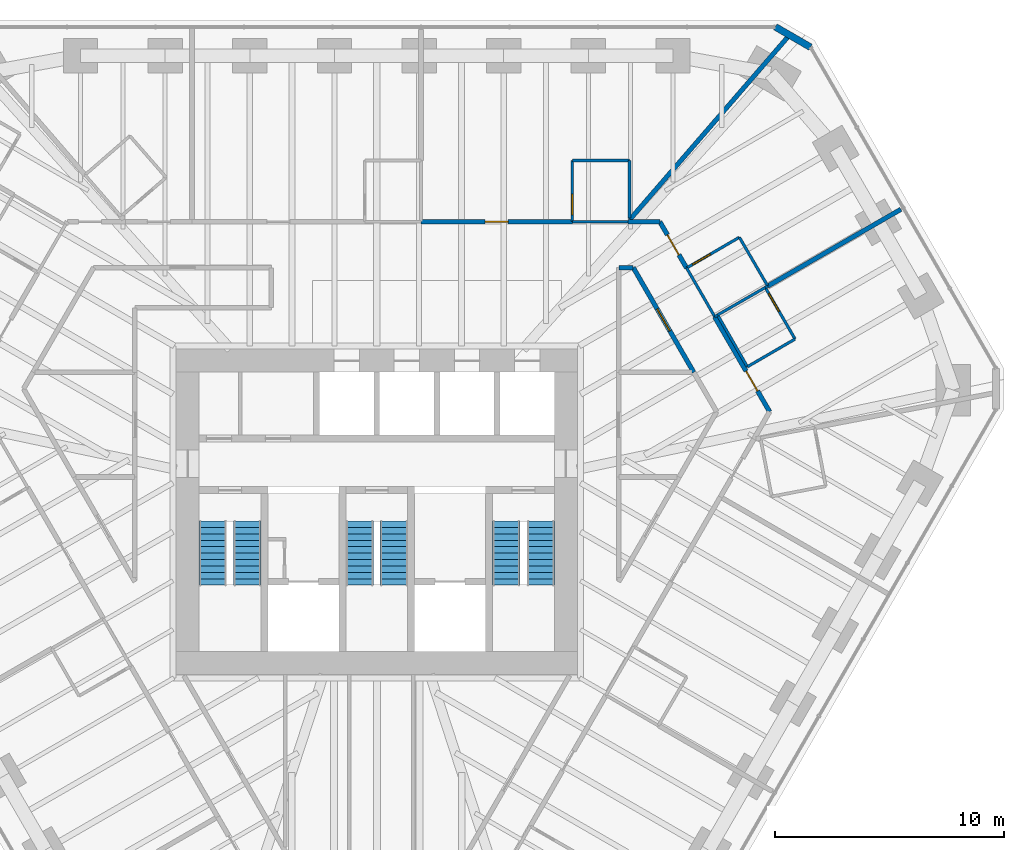
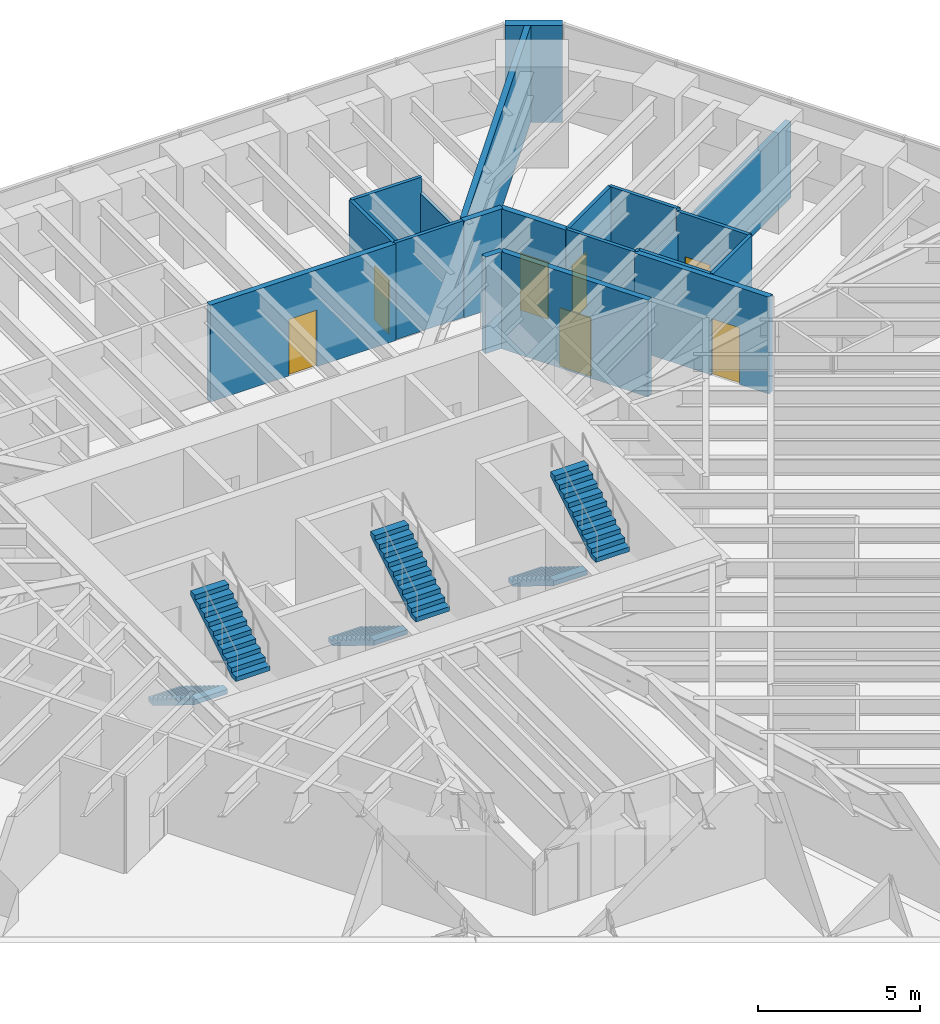
# One storey, part 15 of 16: 22 walls, 7 doors, 6 stair flights, 7 openings, 3 elements without a shape of their own.
"""IFC4 building model written with IfcOpenShell, lengths in metres."""

from ifc_helpers import new_model, si_unit, direction, frame, frame_2d, origin, place, context, subcontext, project, spatial, polyline, rectangle, outline, extrude, material, layer, layer_set, type_object, element, fill, aggregate, save


model = new_model("IFC4")

# Units and contexts
model_context = context("Model", 3, precision=1e-05, world=origin(), true_north=direction((0.0, 1.0)))
body_context = subcontext(model_context, "Body", "Model", "MODEL_VIEW")
ifc_project = project(units=[si_unit("LENGTHUNIT", "METRE"), si_unit("AREAUNIT", "SQUARE_METRE"), si_unit("VOLUMEUNIT", "CUBIC_METRE"), si_unit("PLANEANGLEUNIT", "RADIAN"), si_unit("MASSUNIT", "GRAM", prefix="KILO")], contexts=[model_context])

# Site, building, storey
site_placement = place(None, origin())
site = spatial("IfcSite", under=ifc_project, at=site_placement, CompositionType="ELEMENT")
building_placement = place(site_placement, origin())
building = spatial("IfcBuilding", under=site, at=building_placement, Name="Sandreach Pilgrim Tower", CompositionType="ELEMENT")
storey_placement = place(building_placement, frame((0.0, 0.0, 206.0)))
storey = spatial("IfcBuildingStorey", under=building, at=storey_placement, Name="L51", CompositionType="ELEMENT", Elevation=206.0)

# Wall, opening, door
ifc_material_1 = material(Name="Moisture-resistant gypsum board on steel studs", Category="steel")
ifc_layer_1 = layer(ifc_material_1, 0.1201171875)
ifc_layer_set_1 = layer_set([ifc_layer_1], Name="Bathroom partition 120")
wall_type_1 = type_object("IfcWallType", Name="Bathroom partition 120", PredefinedType="PARTITIONING", material=ifc_layer_set_1)
wall_1_placement = place(storey_placement, frame((8.530029296875, 15.330078125, 0.0), z_axis=(0.0, 0.0, 1.0), x_axis=(0.0, -1.0, 0.0)))
wall_1 = element("IfcWall", 1, at=wall_1_placement, inside=storey, type_object=wall_type_1, Name="Bathroom partition L51-104", PredefinedType="PARTITIONING", context=body_context, shape_type="SweptSolid", body=[
    extrude(rectangle(XDim=2.670166015625, YDim=0.1201171875, at=frame_2d((1.3349609375, 0.0))), origin(), (0.0, 0.0, 1.0), 3.639892578125),
])
opening_1_placement = place(wall_1_placement, frame((1.469970703125, 0.0, 0.0)))
opening_1 = element("IfcOpeningElement", 2, at=opening_1_placement, cuts=wall_1, Name="Opening D09-03B", PredefinedType="OPENING", context=body_context, shape_type="SweptSolid", body=[
    extrude(rectangle(XDim=0.89990234375, YDim=2.030029296875, at=frame_2d((0.449951171875, 1.01513671875))), frame((0.0, 0.06005859375, 0.0), z_axis=(0.0, -1.0, 0.0), x_axis=(1.0, 0.0, 0.0)), (0.0, 0.0, 1.0), 0.1201171875),
])
ifc_material_2 = material(Name="Timber door, steel frame", Category="steel")
door_type_1 = type_object("IfcDoorType", Name="Bathroom door", OperationType="SINGLE_SWING_LEFT", PredefinedType="DOOR", material=ifc_material_2)
door_1_placement = place(opening_1_placement, origin())
door_1 = element("IfcDoor", 3, at=door_1_placement, inside=storey, type_object=door_type_1, Name="Door 5103B", OperationType="SINGLE_SWING_RIGHT", OverallHeight=2.030029296875, OverallWidth=0.89990234375, PredefinedType="DOOR", context=body_context, shape_type="SweptSolid", body=[
    extrude(rectangle(XDim=0.89990234375, YDim=2.030029296875, at=frame_2d((0.449951171875, 1.01513671875))), frame((0.0, 0.02490234375, 0.0), z_axis=(0.0, -1.0, 0.0), x_axis=(1.0, 0.0, 0.0)), (0.0, 0.0, 1.0), 0.050048828125),
])
fill(opening_1, door_1)

# Walls
wall_2_placement = place(storey_placement, frame((10.9599609375, 12.659912109375, 0.0), z_axis=(0.0, 0.0, 1.0), x_axis=(-1.0, 0.0, 0.0)))
element("IfcWall", 4, at=wall_2_placement, inside=storey, type_object=wall_type_1, Name="Bathroom partition L51-112", PredefinedType="PARTITIONING", context=body_context, shape_type="SweptSolid", body=[
    extrude(rectangle(XDim=2.429931640625, YDim=0.1201171875, at=frame_2d((1.21484375, 0.0))), origin(), (0.0, 0.0, 1.0), 3.639892578125),
])
wall_3_placement = place(storey_placement, frame((11.030029296875, 12.830078125, 0.0), z_axis=(0.0, 0.0, 1.0), x_axis=(0.0, 1.0, 0.0)))
element("IfcWall", 5, at=wall_3_placement, inside=storey, type_object=wall_type_1, Name="Bathroom partition L51-113", PredefinedType="PARTITIONING", context=body_context, shape_type="SweptSolid", body=[
    extrude(rectangle(XDim=2.5, YDim=0.1201171875, at=frame_2d((1.25, 0.0))), origin(), (0.0, 0.0, 1.0), 3.0380859375),
])
wall_4_placement = place(storey_placement, frame((11.030029296875, 15.330078125, 0.0), z_axis=(0.0, 0.0, 1.0), x_axis=(-1.0, 0.0, 0.0)))
element("IfcWall", 6, at=wall_4_placement, inside=storey, type_object=wall_type_1, Name="Bathroom partition L51-114", PredefinedType="PARTITIONING", context=body_context, shape_type="SweptSolid", body=[
    extrude(rectangle(XDim=2.5, YDim=0.1201171875, at=frame_2d((1.25, 0.0))), origin(), (0.0, 0.0, 1.0), 3.639892578125),
])
wall_5_placement = place(storey_placement, frame((13.52001953125, 10.64013671875, 0.0), z_axis=(0.0, 0.0, 1.0), x_axis=(0.500046071023, -0.865998803033, 0.0)))
element("IfcWall", 7, at=wall_5_placement, inside=storey, type_object=wall_type_1, Name="Bathroom partition L51-125", PredefinedType="PARTITIONING", context=body_context, shape_type="SweptSolid", body=[
    extrude(rectangle(XDim=2.459716796875, YDim=0.1201171875, at=frame_2d((1.22998046875, 0.0))), origin(), (0.0, 0.0, 1.0), 3.639892578125),
])
wall_6_placement = place(storey_placement, frame((14.75, 8.510009765625, 0.0), z_axis=(0.0, 0.0, 1.0), x_axis=(0.831528837533, 0.555481585969, 0.0)))
element("IfcWall", 8, at=wall_6_placement, inside=storey, type_object=wall_type_1, Name="Bathroom partition L51-128", PredefinedType="PARTITIONING", context=body_context, shape_type="SweptSolid", body=[
    extrude(rectangle(XDim=0.14404296875, YDim=0.1201171875, at=frame_2d((0.072021484375, 0.0))), origin(), (0.0, 0.0, 1.0), 3.639892578125),
])
wall_7_placement = place(storey_placement, frame((14.8701171875, 8.590087890625, 0.0), z_axis=(0.0, 0.0, 1.0), x_axis=(0.498557331759, -0.866856728041, 0.0)))
element("IfcWall", 9, at=wall_7_placement, inside=storey, type_object=wall_type_1, Name="Bathroom partition L51-130", PredefinedType="PARTITIONING", context=body_context, shape_type="SweptSolid", body=[
    extrude(rectangle(XDim=2.607177734375, YDim=0.1201171875, at=frame_2d((1.3037109375, 0.0))), origin(), (0.0, 0.0, 1.0), 3.639892578125),
])
wall_8_placement = place(storey_placement, frame((14.8701171875, 8.590087890625, 0.0), z_axis=(0.0, 0.0, 1.0), x_axis=(0.866177122335, 0.499737123639, 0.0)))
element("IfcWall", 10, at=wall_8_placement, inside=storey, type_object=wall_type_1, Name="Bathroom partition L51-131", PredefinedType="PARTITIONING", context=body_context, shape_type="SweptSolid", body=[
    extrude(rectangle(XDim=2.401123046875, YDim=0.1201171875, at=frame_2d((1.20068359375, 0.0))), origin(), (0.0, 0.0, 1.0), 2.8779296875),
])

# Wall, opening, door
wall_9_placement = place(storey_placement, frame((15.820068359375, 11.97998046875, 0.0), z_axis=(0.0, 0.0, 1.0), x_axis=(-0.864041571379, -0.503420463359, 0.0)))
wall_9 = element("IfcWall", 11, at=wall_9_placement, inside=storey, type_object=wall_type_1, Name="Bathroom partition L51-133", PredefinedType="PARTITIONING", context=body_context, shape_type="SweptSolid", body=[
    extrude(rectangle(XDim=2.661865234375, YDim=0.1201171875, at=frame_2d((1.3310546875, 0.0))), origin(), (0.0, 0.0, 1.0), 3.639892578125),
])
opening_2_placement = place(wall_9_placement, frame((1.4619140625, 0.0, 0.0)))
opening_2 = element("IfcOpeningElement", 12, at=opening_2_placement, cuts=wall_9, Name="Opening D09-04B", PredefinedType="OPENING", context=body_context, shape_type="SweptSolid", body=[
    extrude(rectangle(XDim=0.89990234375, YDim=2.030029296875, at=frame_2d((0.449951171875, 1.01513671875))), frame((0.0, 0.06005859375, 0.0), z_axis=(0.0, -1.0, 0.0), x_axis=(1.0, 0.0, 0.0)), (0.0, 0.0, 1.0), 0.1201171875),
])
door_2_placement = place(opening_2_placement, origin())
door_2 = element("IfcDoor", 13, at=door_2_placement, inside=storey, type_object=door_type_1, Name="Door 5104B", OperationType="SINGLE_SWING_RIGHT", OverallHeight=2.030029296875, OverallWidth=0.89990234375, PredefinedType="DOOR", context=body_context, shape_type="SweptSolid", body=[
    extrude(rectangle(XDim=0.89990234375, YDim=2.030029296875, at=frame_2d((0.449951171875, 1.01513671875))), frame((0.0, 0.02490234375, 0.0), z_axis=(0.0, -1.0, 0.0), x_axis=(1.0, 0.0, 0.0)), (0.0, 0.0, 1.0), 0.050048828125),
])
fill(opening_2, door_2)

# Walls
wall_10_placement = place(storey_placement, frame((16.169921875, 6.330078125, 0.0), z_axis=(0.0, 0.0, 1.0), x_axis=(0.864396442809, 0.502810888564, 0.0)))
element("IfcWall", 14, at=wall_10_placement, inside=storey, type_object=wall_type_1, Name="Bathroom partition L51-134", PredefinedType="PARTITIONING", context=body_context, shape_type="SweptSolid", body=[
    extrude(rectangle(XDim=2.406494140625, YDim=0.1201171875, at=frame_2d((1.203125, 0.0))), origin(), (0.0, 0.0, 1.0), 3.639892578125),
])
wall_11_placement = place(storey_placement, frame((16.949951171875, 9.7900390625, 0.0), z_axis=(0.0, 0.0, 1.0), x_axis=(0.877895572914, 0.478852130681, 0.0)))
element("IfcWall", 15, at=wall_11_placement, inside=storey, type_object=wall_type_1, Name="Bathroom partition L51-139", PredefinedType="PARTITIONING", context=body_context, shape_type="SweptSolid", body=[
    extrude(rectangle(XDim=0.12548828125, YDim=0.1201171875, at=frame_2d((0.062744140625, 0.0))), origin(), (0.0, 0.0, 1.0), 3.639892578125),
])
wall_12_placement = place(storey_placement, frame((17.06005859375, 9.85009765625, 0.0), z_axis=(0.0, 0.0, 1.0), x_axis=(-0.503131731744, 0.864209731785, 0.0)))
element("IfcWall", 16, at=wall_12_placement, inside=storey, type_object=wall_type_1, Name="Bathroom partition L51-140", PredefinedType="PARTITIONING", context=body_context, shape_type="SweptSolid", body=[
    extrude(rectangle(XDim=2.464599609375, YDim=0.1201171875, at=frame_2d((1.232421875, 0.0))), origin(), (0.0, 0.0, 1.0), 3.639892578125),
])

# Wall, opening, door
wall_13_placement = place(storey_placement, frame((18.25, 7.5400390625, 0.0), z_axis=(0.0, 0.0, 1.0), x_axis=(-0.500291685314, 0.865856933682, 0.0)))
wall_13 = element("IfcWall", 17, at=wall_13_placement, inside=storey, type_object=wall_type_1, Name="Bathroom partition L51-144", PredefinedType="PARTITIONING", context=body_context, shape_type="SweptSolid", body=[
    extrude(rectangle(XDim=2.5986328125, YDim=0.1201171875, at=frame_2d((1.29931640625, 0.0))), origin(), (0.0, 0.0, 1.0), 3.639892578125),
])
opening_3_placement = place(wall_13_placement, frame((1.398681640625, 0.0, 0.0)))
opening_3 = element("IfcOpeningElement", 18, at=opening_3_placement, cuts=wall_13, Name="Opening D09-05B", PredefinedType="OPENING", context=body_context, shape_type="SweptSolid", body=[
    extrude(rectangle(XDim=0.89990234375, YDim=2.030029296875, at=frame_2d((0.449951171875, 1.01513671875))), frame((0.0, 0.06005859375, 0.0), z_axis=(0.0, -1.0, 0.0), x_axis=(1.0, 0.0, 0.0)), (0.0, 0.0, 1.0), 0.1201171875),
])
door_3_placement = place(opening_3_placement, origin())
door_3 = element("IfcDoor", 19, at=door_3_placement, inside=storey, type_object=door_type_1, Name="Door 5105B", OperationType="SINGLE_SWING_RIGHT", OverallHeight=2.030029296875, OverallWidth=0.89990234375, PredefinedType="DOOR", context=body_context, shape_type="SweptSolid", body=[
    extrude(rectangle(XDim=0.89990234375, YDim=2.030029296875, at=frame_2d((0.449951171875, 1.01513671875))), frame((0.0, 0.02490234375, 0.0), z_axis=(0.0, -1.0, 0.0), x_axis=(1.0, 0.0, 0.0)), (0.0, 0.0, 1.0), 0.050048828125),
])
fill(opening_3, door_3)

ifc_material_3 = material(Name="Gypsum board on steel studs, two layers each side", Category="steel")
ifc_layer_2 = layer(ifc_material_3, 0.199951171875)
ifc_layer_set_2 = layer_set([ifc_layer_2], Name="Corridor wall 200")
wall_type_2 = type_object("IfcWallType", Name="Corridor wall 200", PredefinedType="PARTITIONING", material=ifc_layer_set_2)
wall_14_placement = place(storey_placement, frame((8.530029296875, 12.659912109375, 0.0), z_axis=(0.0, 0.0, 1.0), x_axis=(-1.0, 0.0, 0.0)))
wall_14 = element("IfcWall", 20, at=wall_14_placement, inside=storey, type_object=wall_type_2, Name="Corridor wall L51-103", PredefinedType="PARTITIONING", context=body_context, shape_type="SweptSolid", body=[
    extrude(rectangle(XDim=6.60009765625, YDim=0.199951171875, at=frame_2d((3.300048828125, 0.0))), origin(), (0.0, 0.0, 1.0), 3.639892578125),
])
opening_4_placement = place(wall_14_placement, frame((2.800048828125, 0.0, 0.0)))
opening_4 = element("IfcOpeningElement", 21, at=opening_4_placement, cuts=wall_14, Name="Opening D10-03", PredefinedType="OPENING", context=body_context, shape_type="SweptSolid", body=[
    extrude(rectangle(XDim=1.0, YDim=2.1298828125, at=frame_2d((0.5, 1.06494140625))), frame((0.0, 0.10009765625, 0.0), z_axis=(0.0, -1.0, 0.0), x_axis=(1.0, 0.0, 0.0)), (0.0, 0.0, 1.0), 0.199951171875),
])
ifc_material_4 = material(Name="Steel door and frame", Category="steel")
door_type_2 = type_object("IfcDoorType", Name="Guest room entry door", OperationType="SINGLE_SWING_LEFT", PredefinedType="DOOR", material=ifc_material_4)
door_4_placement = place(opening_4_placement, origin())
door_4 = element("IfcDoor", 22, at=door_4_placement, inside=storey, type_object=door_type_2, Name="Door 5103", OperationType="SINGLE_SWING_LEFT", OverallHeight=2.1298828125, OverallWidth=1.0, PredefinedType="DOOR", context=body_context, shape_type="SweptSolid", body=[
    extrude(rectangle(XDim=1.0, YDim=2.1298828125, at=frame_2d((0.5, 1.06494140625))), frame((0.0, 0.02490234375, 0.0), z_axis=(0.0, -1.0, 0.0), x_axis=(1.0, 0.0, 0.0)), (0.0, 0.0, 1.0), 0.050048828125),
])
fill(opening_4, door_4)

# Wall
wall_15_placement = place(storey_placement, frame((10.56005859375, 10.659912109375, 0.0), z_axis=(0.0, 0.0, 1.0), x_axis=(1.0, 0.0, 0.0)))
element("IfcWall", 23, at=wall_15_placement, inside=storey, type_object=wall_type_2, Name="Corridor wall L51-111", PredefinedType="PARTITIONING", context=body_context, shape_type="SweptSolid", body=[
    extrude(rectangle(XDim=0.6298828125, YDim=0.199951171875, at=frame_2d((0.31494140625, 0.0))), origin(), (0.0, 0.0, 1.0), 3.639892578125),
])

# Wall, opening, door
wall_16_placement = place(storey_placement, frame((11.18994140625, 10.659912109375, 0.0), z_axis=(0.0, 0.0, 1.0), x_axis=(0.500248310865, -0.865881993967, 0.0)))
wall_16 = element("IfcWall", 24, at=wall_16_placement, inside=storey, type_object=wall_type_2, Name="Corridor wall L51-116", PredefinedType="PARTITIONING", context=body_context, shape_type="SweptSolid", body=[
    extrude(rectangle(XDim=5.277587890625, YDim=0.199951171875, at=frame_2d((2.638671875, 0.0))), origin(), (0.0, 0.0, 1.0), 3.639892578125),
])
opening_5_placement = place(wall_16_placement, frame((2.0888671875, 0.0, 0.0)))
opening_5 = element("IfcOpeningElement", 25, at=opening_5_placement, cuts=wall_16, Name="Opening D11H-M05", PredefinedType="OPENING", context=body_context, shape_type="SweptSolid", body=[
    extrude(rectangle(XDim=1.10009765625, YDim=2.199951171875, at=frame_2d((0.550048828125, 1.10009765625))), frame((0.0, 0.10009765625, 0.0), z_axis=(0.0, -1.0, 0.0), x_axis=(1.0, 0.0, 0.0)), (0.0, 0.0, 1.0), 0.199951171875),
])
ifc_material_5 = material(Name="Steel door and frame", Category="steel")
door_type_3 = type_object("IfcDoorType", Name="Back of house door", OperationType="SINGLE_SWING_LEFT", PredefinedType="DOOR", material=ifc_material_5)
door_5_placement = place(opening_5_placement, origin())
door_5 = element("IfcDoor", 26, at=door_5_placement, inside=storey, type_object=door_type_3, Name="Door 51M05", OperationType="SINGLE_SWING_LEFT", OverallHeight=2.199951171875, OverallWidth=1.10009765625, PredefinedType="DOOR", context=body_context, shape_type="SweptSolid", body=[
    extrude(rectangle(XDim=1.10009765625, YDim=2.199951171875, at=frame_2d((0.550048828125, 1.10009765625))), frame((0.0, 0.02490234375, 0.0), z_axis=(0.0, -1.0, 0.0), x_axis=(1.0, 0.0, 0.0)), (0.0, 0.0, 1.0), 0.050048828125),
])
fill(opening_5, door_5)

# Wall
wall_17_placement = place(storey_placement, frame((12.35009765625, 12.659912109375, 0.0), z_axis=(0.0, 0.0, 1.0), x_axis=(-1.0, 0.0, 0.0)))
element("IfcWall", 27, at=wall_17_placement, inside=storey, type_object=wall_type_2, Name="Corridor wall L51-121", PredefinedType="PARTITIONING", context=body_context, shape_type="SweptSolid", body=[
    extrude(rectangle(XDim=1.39013671875, YDim=0.199951171875, at=frame_2d((0.695068359375, 0.0))), origin(), (0.0, 0.0, 1.0), 3.639892578125),
])

# Wall, opening, door
wall_18_placement = place(storey_placement, frame((12.35009765625, 12.659912109375, 0.0), z_axis=(0.0, 0.0, 1.0), x_axis=(0.500120771724, -0.865955664968, 0.0)))
wall_18 = element("IfcWall", 28, at=wall_18_placement, inside=storey, type_object=wall_type_2, Name="Corridor wall L51-122", PredefinedType="PARTITIONING", context=body_context, shape_type="SweptSolid", body=[
    extrude(rectangle(XDim=2.33447265625, YDim=0.199951171875, at=frame_2d((1.167236328125, 0.0))), origin(), (0.0, 0.0, 1.0), 3.639892578125),
])
opening_6_placement = place(wall_18_placement, frame((0.667236328125, 0.0, 0.0)))
opening_6 = element("IfcOpeningElement", 29, at=opening_6_placement, cuts=wall_18, Name="Opening D10-04", PredefinedType="OPENING", context=body_context, shape_type="SweptSolid", body=[
    extrude(rectangle(XDim=1.0, YDim=2.1298828125, at=frame_2d((0.5, 1.06494140625))), frame((0.0, 0.10009765625, 0.0), z_axis=(0.0, -1.0, 0.0), x_axis=(1.0, 0.0, 0.0)), (0.0, 0.0, 1.0), 0.199951171875),
])
door_6_placement = place(opening_6_placement, origin())
door_6 = element("IfcDoor", 30, at=door_6_placement, inside=storey, type_object=door_type_2, Name="Door 5104", OperationType="SINGLE_SWING_LEFT", OverallHeight=2.1298828125, OverallWidth=1.0, PredefinedType="DOOR", context=body_context, shape_type="SweptSolid", body=[
    extrude(rectangle(XDim=1.0, YDim=2.1298828125, at=frame_2d((0.5, 1.06494140625))), frame((0.0, 0.02490234375, 0.0), z_axis=(0.0, -1.0, 0.0), x_axis=(1.0, 0.0, 0.0)), (0.0, 0.0, 1.0), 0.050048828125),
])
fill(opening_6, door_6)

wall_19_placement = place(storey_placement, frame((17.139892578125, 4.3701171875, 0.0), z_axis=(0.0, 0.0, 1.0), x_axis=(-0.501524901322, 0.865143209737, 0.0)))
wall_19 = element("IfcWall", 31, at=wall_19_placement, inside=storey, type_object=wall_type_2, Name="Corridor wall L51-142", PredefinedType="PARTITIONING", context=body_context, shape_type="SweptSolid", body=[
    extrude(rectangle(XDim=4.78515625, YDim=0.199951171875, at=frame_2d((2.392578125, 0.0))), origin(), (0.0, 0.0, 1.0), 3.639892578125),
])
opening_7_placement = place(wall_19_placement, frame((1.050048828125, 0.0, 0.0)))
opening_7 = element("IfcOpeningElement", 32, at=opening_7_placement, cuts=wall_19, Name="Opening D10-05", PredefinedType="OPENING", context=body_context, shape_type="SweptSolid", body=[
    extrude(rectangle(XDim=1.0, YDim=2.1298828125, at=frame_2d((0.5, 1.06494140625))), frame((0.0, 0.10009765625, 0.0), z_axis=(0.0, -1.0, 0.0), x_axis=(1.0, 0.0, 0.0)), (0.0, 0.0, 1.0), 0.199951171875),
])
door_7_placement = place(opening_7_placement, origin())
door_7 = element("IfcDoor", 33, at=door_7_placement, inside=storey, type_object=door_type_2, Name="Door 5105", OperationType="SINGLE_SWING_LEFT", OverallHeight=2.1298828125, OverallWidth=1.0, PredefinedType="DOOR", context=body_context, shape_type="SweptSolid", body=[
    extrude(rectangle(XDim=1.0, YDim=2.1298828125, at=frame_2d((0.5, 1.06494140625))), frame((0.0, 0.02490234375, 0.0), z_axis=(0.0, -1.0, 0.0), x_axis=(1.0, 0.0, 0.0)), (0.0, 0.0, 1.0), 0.050048828125),
])
fill(opening_7, door_7)

# Walls
ifc_material_6 = material(Name="Double steel stud acoustic wall, gypsum board", Category="steel")
ifc_layer_3 = layer(ifc_material_6, 0.199951171875)
ifc_layer_set_3 = layer_set([ifc_layer_3], Name="Party wall 200")
wall_type_3 = type_object("IfcWallType", Name="Party wall 200", PredefinedType="PARTITIONING", material=ifc_layer_set_3)
wall_20_placement = place(storey_placement, frame((11.039794921875, 12.751220703125, 0.0), z_axis=(0.0, 0.0, 1.0), x_axis=(0.654384042683, 0.756162366613, 0.0)))
element("IfcWall", 34, at=wall_20_placement, inside=storey, type_object=wall_type_3, Name="Party wall L51-115", PredefinedType="PARTITIONING", context=body_context, shape_type="SweptSolid", body=[
    extrude(rectangle(XDim=10.667236328125, YDim=0.199951171875, at=frame_2d((5.33349609375, 0.0))), origin(), (0.0, 0.0, 1.0), 3.639892578125),
])
wall_21_placement = place(storey_placement, frame((17.06005859375, 9.85009765625, 0.0), z_axis=(0.0, 0.0, 1.0), x_axis=(0.866166787958, 0.499755035431, 0.0)))
element("IfcWall", 35, at=wall_21_placement, inside=storey, type_object=wall_type_3, Name="Party wall L51-141", PredefinedType="PARTITIONING", context=body_context, shape_type="SweptSolid", body=[
    extrude(rectangle(XDim=6.702880859375, YDim=0.199951171875, at=frame_2d((3.3515625, 0.0))), origin(), (0.0, 0.0, 1.0), 2.8779296875),
])
ifc_material_7 = material(Name="Terracotta rainscreen on concrete", Category="masonry")
ifc_layer_4 = layer(ifc_material_7, 0.300048828125)
ifc_layer_set_4 = layer_set([ifc_layer_4], Name="Terracotta chamfer pier")
wall_type_4 = type_object("IfcWallType", Name="Terracotta chamfer pier", PredefinedType="SOLIDWALL", material=ifc_layer_set_4)
wall_22_placement = place(storey_placement, frame((17.389892578125, 21.16015625, 0.0), z_axis=(0.0, 0.0, 1.0), x_axis=(0.866036293601, -0.499981137809, 0.0)))
element("IfcWall", 36, at=wall_22_placement, inside=storey, type_object=wall_type_4, Name="Chamfer pier L51 N", PredefinedType="SOLIDWALL", context=body_context, shape_type="SweptSolid", body=[
    extrude(rectangle(XDim=1.77001953125, YDim=0.300048828125, at=frame_2d((0.885009765625, 0.0))), origin(), (0.0, 0.0, 1.0), 3.639892578125),
])

# Stair, stair flights
ifc_material_8 = material(Name="Concrete 8000 psi", Category="concrete")
stair_type = type_object("IfcStairType", Name="Core exit stair", PredefinedType="HALF_TURN_STAIR", material=ifc_material_8)
stair_1_placement = place(storey_placement, origin())
stair_1 = element("IfcStair", 37, at=stair_1_placement, inside=storey, type_object=stair_type, Name="Exit stair ST1 L51", PredefinedType="HALF_TURN_STAIR")
ifc_material_9 = material(Name="Concrete 8000 psi", Category="concrete")
stair_flight_type = type_object("IfcStairFlightType", Name="Core stair flight 1200", PredefinedType="STRAIGHT", material=ifc_material_9)
stair_flight_1_placement = place(storey_placement, frame((-7.14990234375, -0.39990234375, 0.0), z_axis=(0.0, 0.0, 1.0), x_axis=(0.0, -1.0, 0.0)))
stair_flight_1 = element("IfcStairFlight", 38, at=stair_flight_1_placement, type_object=stair_flight_type, Name="ST1 flight 1", NumberOfRisers=11, NumberOfTreads=10, PredefinedType="STRAIGHT", RiserHeight=0.172727273, TreadLength=0.28, context=body_context, shape_type="SweptSolid", body=[
    extrude(outline(polyline([(0.0, 0.0), (0.0, 0.172607421875), (0.280029296875, 0.172607421875), (0.280029296875, 0.345458984375), (0.56005859375, 0.345458984375), (0.56005859375, 0.51806640625), (0.840087890625, 0.51806640625), (0.840087890625, 0.69091796875), (1.1201171875, 0.69091796875), (1.1201171875, 0.863525390625), (1.39990234375, 0.863525390625), (1.39990234375, 1.036376953125), (1.679931640625, 1.036376953125), (1.679931640625, 1.208984375), (1.9599609375, 1.208984375), (1.9599609375, 1.3818359375), (2.239990234375, 1.3818359375), (2.239990234375, 1.554443359375), (2.52001953125, 1.554443359375), (2.52001953125, 1.727294921875), (2.800048828125, 1.727294921875), (2.800048828125, 1.89990234375), (2.800048828125, 1.551025390625), (0.285400390625, 0.0), (0.0, 0.0)])), frame((0.0, 0.60009765625, 0.0), z_axis=(0.0, -1.0, 0.0), x_axis=(1.0, 0.0, 0.0)), (0.0, 0.0, 1.0), 1.199951171875),
])
stair_flight_2_placement = place(storey_placement, frame((-5.64990234375, -3.199951171875, 1.89990234375), z_axis=(0.0, 0.0, 1.0), x_axis=(0.0, 1.0, 0.0)))
stair_flight_2 = element("IfcStairFlight", 39, at=stair_flight_2_placement, type_object=stair_flight_type, Name="ST1 flight 2", NumberOfRisers=11, NumberOfTreads=10, PredefinedType="STRAIGHT", RiserHeight=0.172727273, TreadLength=0.28, context=body_context, shape_type="SweptSolid", body=[
    extrude(outline(polyline([(0.0, 0.0), (0.0, 0.172607421875), (0.280029296875, 0.172607421875), (0.280029296875, 0.345458984375), (0.56005859375, 0.345458984375), (0.56005859375, 0.51806640625), (0.840087890625, 0.51806640625), (0.840087890625, 0.69091796875), (1.1201171875, 0.69091796875), (1.1201171875, 0.863525390625), (1.39990234375, 0.863525390625), (1.39990234375, 1.036376953125), (1.679931640625, 1.036376953125), (1.679931640625, 1.208984375), (1.9599609375, 1.208984375), (1.9599609375, 1.3818359375), (2.239990234375, 1.3818359375), (2.239990234375, 1.554443359375), (2.52001953125, 1.554443359375), (2.52001953125, 1.727294921875), (2.800048828125, 1.727294921875), (2.800048828125, 1.89990234375), (2.800048828125, 1.551025390625), (0.285400390625, 0.0), (0.0, 0.0)])), frame((0.0, 0.60009765625, 0.0), z_axis=(0.0, -1.0, 0.0), x_axis=(1.0, 0.0, 0.0)), (0.0, 0.0, 1.0), 1.199951171875),
])
aggregate(stair_1, [stair_flight_1, stair_flight_2])

stair_2_placement = place(storey_placement, origin())
stair_2 = element("IfcStair", 40, at=stair_2_placement, inside=storey, type_object=stair_type, Name="Exit stair ST3 L51", PredefinedType="HALF_TURN_STAIR")
stair_flight_3_placement = place(storey_placement, frame((-0.75, -0.39990234375, 0.0), z_axis=(0.0, 0.0, 1.0), x_axis=(0.0, -1.0, 0.0)))
stair_flight_3 = element("IfcStairFlight", 41, at=stair_flight_3_placement, type_object=stair_flight_type, Name="ST3 flight 1", NumberOfRisers=11, NumberOfTreads=10, PredefinedType="STRAIGHT", RiserHeight=0.172727273, TreadLength=0.28, context=body_context, shape_type="SweptSolid", body=[
    extrude(outline(polyline([(0.0, 0.0), (0.0, 0.172607421875), (0.280029296875, 0.172607421875), (0.280029296875, 0.345458984375), (0.56005859375, 0.345458984375), (0.56005859375, 0.51806640625), (0.840087890625, 0.51806640625), (0.840087890625, 0.69091796875), (1.1201171875, 0.69091796875), (1.1201171875, 0.863525390625), (1.39990234375, 0.863525390625), (1.39990234375, 1.036376953125), (1.679931640625, 1.036376953125), (1.679931640625, 1.208984375), (1.9599609375, 1.208984375), (1.9599609375, 1.3818359375), (2.239990234375, 1.3818359375), (2.239990234375, 1.554443359375), (2.52001953125, 1.554443359375), (2.52001953125, 1.727294921875), (2.800048828125, 1.727294921875), (2.800048828125, 1.89990234375), (2.800048828125, 1.551025390625), (0.285400390625, 0.0), (0.0, 0.0)])), frame((0.0, 0.60009765625, 0.0), z_axis=(0.0, -1.0, 0.0), x_axis=(1.0, 0.0, 0.0)), (0.0, 0.0, 1.0), 1.199951171875),
])
stair_flight_4_placement = place(storey_placement, frame((0.75, -3.199951171875, 1.89990234375), z_axis=(0.0, 0.0, 1.0), x_axis=(0.0, 1.0, 0.0)))
stair_flight_4 = element("IfcStairFlight", 42, at=stair_flight_4_placement, type_object=stair_flight_type, Name="ST3 flight 2", NumberOfRisers=11, NumberOfTreads=10, PredefinedType="STRAIGHT", RiserHeight=0.172727273, TreadLength=0.28, context=body_context, shape_type="SweptSolid", body=[
    extrude(outline(polyline([(0.0, 0.0), (0.0, 0.172607421875), (0.280029296875, 0.172607421875), (0.280029296875, 0.345458984375), (0.56005859375, 0.345458984375), (0.56005859375, 0.51806640625), (0.840087890625, 0.51806640625), (0.840087890625, 0.69091796875), (1.1201171875, 0.69091796875), (1.1201171875, 0.863525390625), (1.39990234375, 0.863525390625), (1.39990234375, 1.036376953125), (1.679931640625, 1.036376953125), (1.679931640625, 1.208984375), (1.9599609375, 1.208984375), (1.9599609375, 1.3818359375), (2.239990234375, 1.3818359375), (2.239990234375, 1.554443359375), (2.52001953125, 1.554443359375), (2.52001953125, 1.727294921875), (2.800048828125, 1.727294921875), (2.800048828125, 1.89990234375), (2.800048828125, 1.551025390625), (0.285400390625, 0.0), (0.0, 0.0)])), frame((0.0, 0.60009765625, 0.0), z_axis=(0.0, -1.0, 0.0), x_axis=(1.0, 0.0, 0.0)), (0.0, 0.0, 1.0), 1.199951171875),
])
aggregate(stair_2, [stair_flight_3, stair_flight_4])

stair_3_placement = place(storey_placement, origin())
stair_3 = element("IfcStair", 43, at=stair_3_placement, inside=storey, type_object=stair_type, Name="Exit stair ST2 L51", PredefinedType="HALF_TURN_STAIR")
stair_flight_5_placement = place(storey_placement, frame((5.64990234375, -0.39990234375, 0.0), z_axis=(0.0, 0.0, 1.0), x_axis=(0.0, -1.0, 0.0)))
stair_flight_5 = element("IfcStairFlight", 44, at=stair_flight_5_placement, type_object=stair_flight_type, Name="ST2 flight 1", NumberOfRisers=11, NumberOfTreads=10, PredefinedType="STRAIGHT", RiserHeight=0.172727273, TreadLength=0.28, context=body_context, shape_type="SweptSolid", body=[
    extrude(outline(polyline([(0.0, 0.0), (0.0, 0.172607421875), (0.280029296875, 0.172607421875), (0.280029296875, 0.345458984375), (0.56005859375, 0.345458984375), (0.56005859375, 0.51806640625), (0.840087890625, 0.51806640625), (0.840087890625, 0.69091796875), (1.1201171875, 0.69091796875), (1.1201171875, 0.863525390625), (1.39990234375, 0.863525390625), (1.39990234375, 1.036376953125), (1.679931640625, 1.036376953125), (1.679931640625, 1.208984375), (1.9599609375, 1.208984375), (1.9599609375, 1.3818359375), (2.239990234375, 1.3818359375), (2.239990234375, 1.554443359375), (2.52001953125, 1.554443359375), (2.52001953125, 1.727294921875), (2.800048828125, 1.727294921875), (2.800048828125, 1.89990234375), (2.800048828125, 1.551025390625), (0.285400390625, 0.0), (0.0, 0.0)])), frame((0.0, 0.60009765625, 0.0), z_axis=(0.0, -1.0, 0.0), x_axis=(1.0, 0.0, 0.0)), (0.0, 0.0, 1.0), 1.199951171875),
])
stair_flight_6_placement = place(storey_placement, frame((7.14990234375, -3.199951171875, 1.89990234375), z_axis=(0.0, 0.0, 1.0), x_axis=(0.0, 1.0, 0.0)))
stair_flight_6 = element("IfcStairFlight", 45, at=stair_flight_6_placement, type_object=stair_flight_type, Name="ST2 flight 2", NumberOfRisers=11, NumberOfTreads=10, PredefinedType="STRAIGHT", RiserHeight=0.172727273, TreadLength=0.28, context=body_context, shape_type="SweptSolid", body=[
    extrude(outline(polyline([(0.0, 0.0), (0.0, 0.172607421875), (0.280029296875, 0.172607421875), (0.280029296875, 0.345458984375), (0.56005859375, 0.345458984375), (0.56005859375, 0.51806640625), (0.840087890625, 0.51806640625), (0.840087890625, 0.69091796875), (1.1201171875, 0.69091796875), (1.1201171875, 0.863525390625), (1.39990234375, 0.863525390625), (1.39990234375, 1.036376953125), (1.679931640625, 1.036376953125), (1.679931640625, 1.208984375), (1.9599609375, 1.208984375), (1.9599609375, 1.3818359375), (2.239990234375, 1.3818359375), (2.239990234375, 1.554443359375), (2.52001953125, 1.554443359375), (2.52001953125, 1.727294921875), (2.800048828125, 1.727294921875), (2.800048828125, 1.89990234375), (2.800048828125, 1.551025390625), (0.285400390625, 0.0), (0.0, 0.0)])), frame((0.0, 0.60009765625, 0.0), z_axis=(0.0, -1.0, 0.0), x_axis=(1.0, 0.0, 0.0)), (0.0, 0.0, 1.0), 1.199951171875),
])
aggregate(stair_3, [stair_flight_5, stair_flight_6])

save(model, "model.ifc")
